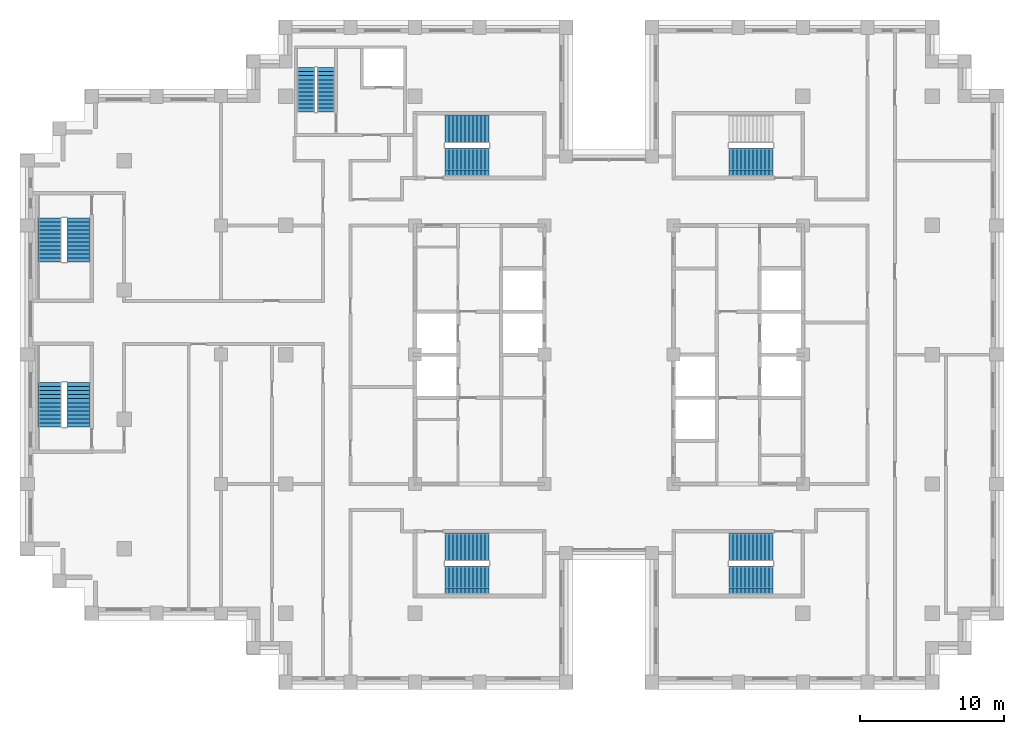
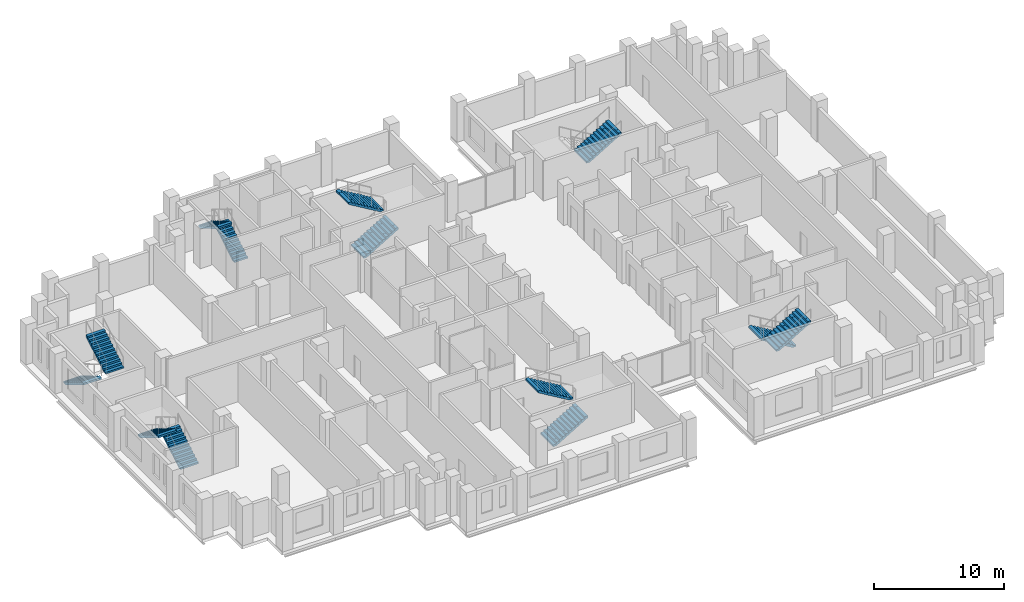
# One storey, part 12 of 15: 13 stair flights, 7 elements without a shape of their own.
"""IFC4 building model written with IfcOpenShell, lengths in metres."""

from ifc_helpers import new_model, si_unit, direction, frame, origin, place, context, subcontext, project, spatial, polyline, outline, extrude, material, type_object, element, aggregate, save


model = new_model("IFC4")

# Units and contexts
model_context = context("Model", 3, precision=1e-05, world=origin(), true_north=direction((0.0, 1.0)))
body_context = subcontext(model_context, "Body", "Model", "MODEL_VIEW")
ifc_project = project(units=[si_unit("LENGTHUNIT", "METRE"), si_unit("AREAUNIT", "SQUARE_METRE"), si_unit("VOLUMEUNIT", "CUBIC_METRE"), si_unit("PLANEANGLEUNIT", "RADIAN"), si_unit("MASSUNIT", "GRAM", prefix="KILO")], contexts=[model_context])

# Site, building, storey
site_placement = place(None, origin())
site = spatial("IfcSite", under=ifc_project, at=site_placement, CompositionType="ELEMENT")
building_placement = place(site_placement, origin())
building = spatial("IfcBuilding", under=site, at=building_placement, Name="Corbelhall Arena Tower", CompositionType="ELEMENT")
storey_placement = place(building_placement, frame((0.0, 0.0, 224.0)))
storey = spatial("IfcBuildingStorey", under=building, at=storey_placement, Name="L47", CompositionType="ELEMENT", Elevation=224.0)

# Stair, stair flights
ifc_material = material(Name="Concrete C40/50", Category="concrete")
stair_type = type_object("IfcStairType", Name="IN-ST-TOWER", PredefinedType="HALF_TURN_STAIR", material=ifc_material)
stair_1_placement = place(storey_placement, origin())
stair_1 = element("IfcStair", 1, at=stair_1_placement, inside=storey, type_object=stair_type, Name="L47 Exit stair ST1", PredefinedType="HALF_TURN_STAIR")
stair_flight_type = type_object("IfcStairFlightType", Name="IN-SFL-RC", PredefinedType="STRAIGHT", material=ifc_material)
stair_flight_1_placement = place(storey_placement, frame((-11.425048828125, 13.39990234375, 0.0), z_axis=(0.0, 0.0, 1.0), x_axis=(1.0, 0.0, 0.0)))
stair_flight_1 = element("IfcStairFlight", 2, at=stair_flight_1_placement, type_object=stair_flight_type, Name="ST1 flight 1", NumberOfRisers=12, NumberOfTreads=11, PredefinedType="STRAIGHT", RiserHeight=0.166666667, TreadLength=0.28, context=body_context, shape_type="SweptSolid", body=[
    extrude(outline(polyline([(0.0, 0.0), (0.0, 0.166748046875), (0.280029296875, 0.166748046875), (0.280029296875, 0.333251953125), (0.56005859375, 0.333251953125), (0.56005859375, 0.5), (0.840087890625, 0.5), (0.840087890625, 0.666748046875), (1.1201171875, 0.666748046875), (1.1201171875, 0.833251953125), (1.39990234375, 0.833251953125), (1.39990234375, 1.0), (1.679931640625, 1.0), (1.679931640625, 1.166748046875), (1.9599609375, 1.166748046875), (1.9599609375, 1.333251953125), (2.239990234375, 1.333251953125), (2.239990234375, 1.5), (2.52001953125, 1.5), (2.52001953125, 1.666748046875), (2.800048828125, 1.666748046875), (2.800048828125, 1.833251953125), (3.080078125, 1.833251953125), (3.080078125, 2.0), (3.080078125, 1.658935546875), (0.29296875, 0.0), (0.0, 0.0)])), frame((0.0, 0.97509765625, 0.0), z_axis=(0.0, -1.0, 0.0), x_axis=(1.0, 0.0, 0.0)), (0.0, 0.0, 1.0), 0.449951171875),
    extrude(outline(polyline([(0.0, 0.0), (0.0, 0.166748046875), (0.280029296875, 0.166748046875), (0.280029296875, 0.333251953125), (0.56005859375, 0.333251953125), (0.56005859375, 0.5), (0.840087890625, 0.5), (0.840087890625, 0.666748046875), (1.1201171875, 0.666748046875), (1.1201171875, 0.833251953125), (1.39990234375, 0.833251953125), (1.39990234375, 1.0), (1.679931640625, 1.0), (1.679931640625, 1.166748046875), (1.9599609375, 1.166748046875), (1.9599609375, 1.333251953125), (2.239990234375, 1.333251953125), (2.239990234375, 1.5), (2.52001953125, 1.5), (2.52001953125, 1.666748046875), (2.800048828125, 1.666748046875), (2.800048828125, 1.833251953125), (3.080078125, 1.833251953125), (3.080078125, 2.0), (3.080078125, 1.658935546875), (0.29296875, 0.0), (0.0, 0.0)])), frame((0.0, 0.52099609375, 0.0), z_axis=(0.0, -1.0, 0.0), x_axis=(1.0, 0.0, 0.0)), (0.0, 0.0, 1.0), 1.0419921875),
    extrude(outline(polyline([(0.0, 0.0), (0.0, 0.166748046875), (0.280029296875, 0.166748046875), (0.280029296875, 0.333251953125), (0.56005859375, 0.333251953125), (0.56005859375, 0.5), (0.840087890625, 0.5), (0.840087890625, 0.666748046875), (1.1201171875, 0.666748046875), (1.1201171875, 0.833251953125), (1.39990234375, 0.833251953125), (1.39990234375, 1.0), (1.679931640625, 1.0), (1.679931640625, 1.166748046875), (1.9599609375, 1.166748046875), (1.9599609375, 1.333251953125), (2.239990234375, 1.333251953125), (2.239990234375, 1.5), (2.52001953125, 1.5), (2.52001953125, 1.666748046875), (2.800048828125, 1.666748046875), (2.800048828125, 1.833251953125), (3.080078125, 1.833251953125), (3.080078125, 2.0), (3.080078125, 1.658935546875), (0.29296875, 0.0), (0.0, 0.0)])), frame((0.0, -0.52490234375, 0.0), z_axis=(0.0, -1.0, 0.0), x_axis=(1.0, 0.0, 0.0)), (0.0, 0.0, 1.0), 0.449951171875),
])
stair_flight_2_placement = place(storey_placement, frame((-8.344970703125, 15.699951171875, 2.0), z_axis=(0.0, 0.0, 1.0), x_axis=(-1.0, 0.0, 0.0)))
stair_flight_2 = element("IfcStairFlight", 3, at=stair_flight_2_placement, type_object=stair_flight_type, Name="ST1 flight 2", NumberOfRisers=12, NumberOfTreads=11, PredefinedType="STRAIGHT", RiserHeight=0.166666667, TreadLength=0.28, context=body_context, shape_type="SweptSolid", body=[
    extrude(outline(polyline([(0.0, 0.0), (0.0, 0.166748046875), (0.280029296875, 0.166748046875), (0.280029296875, 0.333251953125), (0.56005859375, 0.333251953125), (0.56005859375, 0.5), (0.840087890625, 0.5), (0.840087890625, 0.666748046875), (1.1201171875, 0.666748046875), (1.1201171875, 0.833251953125), (1.39990234375, 0.833251953125), (1.39990234375, 1.0), (1.679931640625, 1.0), (1.679931640625, 1.166748046875), (1.9599609375, 1.166748046875), (1.9599609375, 1.333251953125), (2.239990234375, 1.333251953125), (2.239990234375, 1.5), (2.52001953125, 1.5), (2.52001953125, 1.666748046875), (2.800048828125, 1.666748046875), (2.800048828125, 1.833251953125), (3.080078125, 1.833251953125), (3.080078125, 2.0), (3.080078125, 1.658935546875), (0.29296875, 0.0), (0.0, 0.0)])), frame((0.0, 0.97509765625, 0.0), z_axis=(0.0, -1.0, 0.0), x_axis=(1.0, 0.0, 0.0)), (0.0, 0.0, 1.0), 0.449951171875),
    extrude(outline(polyline([(0.0, 0.0), (0.0, 0.166748046875), (0.280029296875, 0.166748046875), (0.280029296875, 0.333251953125), (0.56005859375, 0.333251953125), (0.56005859375, 0.5), (0.840087890625, 0.5), (0.840087890625, 0.666748046875), (1.1201171875, 0.666748046875), (1.1201171875, 0.833251953125), (1.39990234375, 0.833251953125), (1.39990234375, 1.0), (1.679931640625, 1.0), (1.679931640625, 1.166748046875), (1.9599609375, 1.166748046875), (1.9599609375, 1.333251953125), (2.239990234375, 1.333251953125), (2.239990234375, 1.5), (2.52001953125, 1.5), (2.52001953125, 1.666748046875), (2.800048828125, 1.666748046875), (2.800048828125, 1.833251953125), (3.080078125, 1.833251953125), (3.080078125, 2.0), (3.080078125, 1.658935546875), (0.29296875, 0.0), (0.0, 0.0)])), frame((0.0, 0.52099609375, 0.0), z_axis=(0.0, -1.0, 0.0), x_axis=(1.0, 0.0, 0.0)), (0.0, 0.0, 1.0), 1.0419921875),
    extrude(outline(polyline([(0.0, 0.0), (0.0, 0.166748046875), (0.280029296875, 0.166748046875), (0.280029296875, 0.333251953125), (0.56005859375, 0.333251953125), (0.56005859375, 0.5), (0.840087890625, 0.5), (0.840087890625, 0.666748046875), (1.1201171875, 0.666748046875), (1.1201171875, 0.833251953125), (1.39990234375, 0.833251953125), (1.39990234375, 1.0), (1.679931640625, 1.0), (1.679931640625, 1.166748046875), (1.9599609375, 1.166748046875), (1.9599609375, 1.333251953125), (2.239990234375, 1.333251953125), (2.239990234375, 1.5), (2.52001953125, 1.5), (2.52001953125, 1.666748046875), (2.800048828125, 1.666748046875), (2.800048828125, 1.833251953125), (3.080078125, 1.833251953125), (3.080078125, 2.0), (3.080078125, 1.658935546875), (0.29296875, 0.0), (0.0, 0.0)])), frame((0.0, -0.52490234375, 0.0), z_axis=(0.0, -1.0, 0.0), x_axis=(1.0, 0.0, 0.0)), (0.0, 0.0, 1.0), 0.449951171875),
])
aggregate(stair_1, [stair_flight_1, stair_flight_2])

stair_2_placement = place(storey_placement, origin())
stair_2 = element("IfcStair", 4, at=stair_2_placement, inside=storey, type_object=stair_type, Name="L47 Exit stair ST2", PredefinedType="HALF_TURN_STAIR")
stair_flight_3_placement = place(storey_placement, frame((-11.425048828125, -15.699951171875, 0.0), z_axis=(0.0, 0.0, 1.0), x_axis=(1.0, 0.0, 0.0)))
stair_flight_3 = element("IfcStairFlight", 5, at=stair_flight_3_placement, type_object=stair_flight_type, Name="ST2 flight 1", NumberOfRisers=12, NumberOfTreads=11, PredefinedType="STRAIGHT", RiserHeight=0.166666667, TreadLength=0.28, context=body_context, shape_type="SweptSolid", body=[
    extrude(outline(polyline([(0.0, 0.0), (0.0, 0.166748046875), (0.280029296875, 0.166748046875), (0.280029296875, 0.333251953125), (0.56005859375, 0.333251953125), (0.56005859375, 0.5), (0.840087890625, 0.5), (0.840087890625, 0.666748046875), (1.1201171875, 0.666748046875), (1.1201171875, 0.833251953125), (1.39990234375, 0.833251953125), (1.39990234375, 1.0), (1.679931640625, 1.0), (1.679931640625, 1.166748046875), (1.9599609375, 1.166748046875), (1.9599609375, 1.333251953125), (2.239990234375, 1.333251953125), (2.239990234375, 1.5), (2.52001953125, 1.5), (2.52001953125, 1.666748046875), (2.800048828125, 1.666748046875), (2.800048828125, 1.833251953125), (3.080078125, 1.833251953125), (3.080078125, 2.0), (3.080078125, 1.658935546875), (0.29296875, 0.0), (0.0, 0.0)])), frame((0.0, 0.97509765625, 0.0), z_axis=(0.0, -1.0, 0.0), x_axis=(1.0, 0.0, 0.0)), (0.0, 0.0, 1.0), 0.449951171875),
    extrude(outline(polyline([(0.0, 0.0), (0.0, 0.166748046875), (0.280029296875, 0.166748046875), (0.280029296875, 0.333251953125), (0.56005859375, 0.333251953125), (0.56005859375, 0.5), (0.840087890625, 0.5), (0.840087890625, 0.666748046875), (1.1201171875, 0.666748046875), (1.1201171875, 0.833251953125), (1.39990234375, 0.833251953125), (1.39990234375, 1.0), (1.679931640625, 1.0), (1.679931640625, 1.166748046875), (1.9599609375, 1.166748046875), (1.9599609375, 1.333251953125), (2.239990234375, 1.333251953125), (2.239990234375, 1.5), (2.52001953125, 1.5), (2.52001953125, 1.666748046875), (2.800048828125, 1.666748046875), (2.800048828125, 1.833251953125), (3.080078125, 1.833251953125), (3.080078125, 2.0), (3.080078125, 1.658935546875), (0.29296875, 0.0), (0.0, 0.0)])), frame((0.0, 0.52099609375, 0.0), z_axis=(0.0, -1.0, 0.0), x_axis=(1.0, 0.0, 0.0)), (0.0, 0.0, 1.0), 1.0419921875),
    extrude(outline(polyline([(0.0, 0.0), (0.0, 0.166748046875), (0.280029296875, 0.166748046875), (0.280029296875, 0.333251953125), (0.56005859375, 0.333251953125), (0.56005859375, 0.5), (0.840087890625, 0.5), (0.840087890625, 0.666748046875), (1.1201171875, 0.666748046875), (1.1201171875, 0.833251953125), (1.39990234375, 0.833251953125), (1.39990234375, 1.0), (1.679931640625, 1.0), (1.679931640625, 1.166748046875), (1.9599609375, 1.166748046875), (1.9599609375, 1.333251953125), (2.239990234375, 1.333251953125), (2.239990234375, 1.5), (2.52001953125, 1.5), (2.52001953125, 1.666748046875), (2.800048828125, 1.666748046875), (2.800048828125, 1.833251953125), (3.080078125, 1.833251953125), (3.080078125, 2.0), (3.080078125, 1.658935546875), (0.29296875, 0.0), (0.0, 0.0)])), frame((0.0, -0.52490234375, 0.0), z_axis=(0.0, -1.0, 0.0), x_axis=(1.0, 0.0, 0.0)), (0.0, 0.0, 1.0), 0.449951171875),
])
stair_flight_4_placement = place(storey_placement, frame((-8.344970703125, -13.39990234375, 2.0), z_axis=(0.0, 0.0, 1.0), x_axis=(-1.0, 0.0, 0.0)))
stair_flight_4 = element("IfcStairFlight", 6, at=stair_flight_4_placement, type_object=stair_flight_type, Name="ST2 flight 2", NumberOfRisers=12, NumberOfTreads=11, PredefinedType="STRAIGHT", RiserHeight=0.166666667, TreadLength=0.28, context=body_context, shape_type="SweptSolid", body=[
    extrude(outline(polyline([(0.0, 0.0), (0.0, 0.166748046875), (0.280029296875, 0.166748046875), (0.280029296875, 0.333251953125), (0.56005859375, 0.333251953125), (0.56005859375, 0.5), (0.840087890625, 0.5), (0.840087890625, 0.666748046875), (1.1201171875, 0.666748046875), (1.1201171875, 0.833251953125), (1.39990234375, 0.833251953125), (1.39990234375, 1.0), (1.679931640625, 1.0), (1.679931640625, 1.166748046875), (1.9599609375, 1.166748046875), (1.9599609375, 1.333251953125), (2.239990234375, 1.333251953125), (2.239990234375, 1.5), (2.52001953125, 1.5), (2.52001953125, 1.666748046875), (2.800048828125, 1.666748046875), (2.800048828125, 1.833251953125), (3.080078125, 1.833251953125), (3.080078125, 2.0), (3.080078125, 1.658935546875), (0.29296875, 0.0), (0.0, 0.0)])), frame((0.0, 0.97509765625, 0.0), z_axis=(0.0, -1.0, 0.0), x_axis=(1.0, 0.0, 0.0)), (0.0, 0.0, 1.0), 0.449951171875),
    extrude(outline(polyline([(0.0, 0.0), (0.0, 0.166748046875), (0.280029296875, 0.166748046875), (0.280029296875, 0.333251953125), (0.56005859375, 0.333251953125), (0.56005859375, 0.5), (0.840087890625, 0.5), (0.840087890625, 0.666748046875), (1.1201171875, 0.666748046875), (1.1201171875, 0.833251953125), (1.39990234375, 0.833251953125), (1.39990234375, 1.0), (1.679931640625, 1.0), (1.679931640625, 1.166748046875), (1.9599609375, 1.166748046875), (1.9599609375, 1.333251953125), (2.239990234375, 1.333251953125), (2.239990234375, 1.5), (2.52001953125, 1.5), (2.52001953125, 1.666748046875), (2.800048828125, 1.666748046875), (2.800048828125, 1.833251953125), (3.080078125, 1.833251953125), (3.080078125, 2.0), (3.080078125, 1.658935546875), (0.29296875, 0.0), (0.0, 0.0)])), frame((0.0, 0.52099609375, 0.0), z_axis=(0.0, -1.0, 0.0), x_axis=(1.0, 0.0, 0.0)), (0.0, 0.0, 1.0), 1.0419921875),
    extrude(outline(polyline([(0.0, 0.0), (0.0, 0.166748046875), (0.280029296875, 0.166748046875), (0.280029296875, 0.333251953125), (0.56005859375, 0.333251953125), (0.56005859375, 0.5), (0.840087890625, 0.5), (0.840087890625, 0.666748046875), (1.1201171875, 0.666748046875), (1.1201171875, 0.833251953125), (1.39990234375, 0.833251953125), (1.39990234375, 1.0), (1.679931640625, 1.0), (1.679931640625, 1.166748046875), (1.9599609375, 1.166748046875), (1.9599609375, 1.333251953125), (2.239990234375, 1.333251953125), (2.239990234375, 1.5), (2.52001953125, 1.5), (2.52001953125, 1.666748046875), (2.800048828125, 1.666748046875), (2.800048828125, 1.833251953125), (3.080078125, 1.833251953125), (3.080078125, 2.0), (3.080078125, 1.658935546875), (0.29296875, 0.0), (0.0, 0.0)])), frame((0.0, -0.52490234375, 0.0), z_axis=(0.0, -1.0, 0.0), x_axis=(1.0, 0.0, 0.0)), (0.0, 0.0, 1.0), 0.449951171875),
])
aggregate(stair_2, [stair_flight_3, stair_flight_4])

# Stair, stair flight
stair_3_placement = place(storey_placement, origin())
stair_3 = element("IfcStair", 7, at=stair_3_placement, inside=storey, type_object=stair_type, Name="L47 Exit stair ST3", PredefinedType="HALF_TURN_STAIR")
stair_flight_5_placement = place(storey_placement, frame((8.344970703125, 13.39990234375, 2.0), z_axis=(0.0, 0.0, 1.0), x_axis=(1.0, 0.0, 0.0)))
stair_flight_5 = element("IfcStairFlight", 8, at=stair_flight_5_placement, type_object=stair_flight_type, Name="ST3 flight 2", NumberOfRisers=12, NumberOfTreads=11, PredefinedType="STRAIGHT", RiserHeight=0.166666667, TreadLength=0.28, context=body_context, shape_type="SweptSolid", body=[
    extrude(outline(polyline([(0.0, 0.0), (0.0, 0.166748046875), (0.280029296875, 0.166748046875), (0.280029296875, 0.333251953125), (0.56005859375, 0.333251953125), (0.56005859375, 0.5), (0.840087890625, 0.5), (0.840087890625, 0.666748046875), (1.1201171875, 0.666748046875), (1.1201171875, 0.833251953125), (1.39990234375, 0.833251953125), (1.39990234375, 1.0), (1.679931640625, 1.0), (1.679931640625, 1.166748046875), (1.9599609375, 1.166748046875), (1.9599609375, 1.333251953125), (2.239990234375, 1.333251953125), (2.239990234375, 1.5), (2.52001953125, 1.5), (2.52001953125, 1.666748046875), (2.800048828125, 1.666748046875), (2.800048828125, 1.833251953125), (3.080078125, 1.833251953125), (3.080078125, 2.0), (3.080078125, 1.658935546875), (0.29296875, 0.0), (0.0, 0.0)])), frame((0.0, 0.97509765625, 0.0), z_axis=(0.0, -1.0, 0.0), x_axis=(1.0, 0.0, 0.0)), (0.0, 0.0, 1.0), 0.449951171875),
    extrude(outline(polyline([(0.0, 0.0), (0.0, 0.166748046875), (0.280029296875, 0.166748046875), (0.280029296875, 0.333251953125), (0.56005859375, 0.333251953125), (0.56005859375, 0.5), (0.840087890625, 0.5), (0.840087890625, 0.666748046875), (1.1201171875, 0.666748046875), (1.1201171875, 0.833251953125), (1.39990234375, 0.833251953125), (1.39990234375, 1.0), (1.679931640625, 1.0), (1.679931640625, 1.166748046875), (1.9599609375, 1.166748046875), (1.9599609375, 1.333251953125), (2.239990234375, 1.333251953125), (2.239990234375, 1.5), (2.52001953125, 1.5), (2.52001953125, 1.666748046875), (2.800048828125, 1.666748046875), (2.800048828125, 1.833251953125), (3.080078125, 1.833251953125), (3.080078125, 2.0), (3.080078125, 1.658935546875), (0.29296875, 0.0), (0.0, 0.0)])), frame((0.0, 0.52099609375, 0.0), z_axis=(0.0, -1.0, 0.0), x_axis=(1.0, 0.0, 0.0)), (0.0, 0.0, 1.0), 1.0419921875),
    extrude(outline(polyline([(0.0, 0.0), (0.0, 0.166748046875), (0.280029296875, 0.166748046875), (0.280029296875, 0.333251953125), (0.56005859375, 0.333251953125), (0.56005859375, 0.5), (0.840087890625, 0.5), (0.840087890625, 0.666748046875), (1.1201171875, 0.666748046875), (1.1201171875, 0.833251953125), (1.39990234375, 0.833251953125), (1.39990234375, 1.0), (1.679931640625, 1.0), (1.679931640625, 1.166748046875), (1.9599609375, 1.166748046875), (1.9599609375, 1.333251953125), (2.239990234375, 1.333251953125), (2.239990234375, 1.5), (2.52001953125, 1.5), (2.52001953125, 1.666748046875), (2.800048828125, 1.666748046875), (2.800048828125, 1.833251953125), (3.080078125, 1.833251953125), (3.080078125, 2.0), (3.080078125, 1.658935546875), (0.29296875, 0.0), (0.0, 0.0)])), frame((0.0, -0.52490234375, 0.0), z_axis=(0.0, -1.0, 0.0), x_axis=(1.0, 0.0, 0.0)), (0.0, 0.0, 1.0), 0.449951171875),
])
aggregate(stair_3, [stair_flight_5])

# Stair, stair flights
stair_4_placement = place(storey_placement, origin())
stair_4 = element("IfcStair", 9, at=stair_4_placement, inside=storey, type_object=stair_type, Name="L47 Exit stair ST4", PredefinedType="HALF_TURN_STAIR")
stair_flight_6_placement = place(storey_placement, frame((11.425048828125, -13.39990234375, 0.0), z_axis=(0.0, 0.0, 1.0), x_axis=(-1.0, 0.0, 0.0)))
stair_flight_6 = element("IfcStairFlight", 10, at=stair_flight_6_placement, type_object=stair_flight_type, Name="ST4 flight 1", NumberOfRisers=12, NumberOfTreads=11, PredefinedType="STRAIGHT", RiserHeight=0.166666667, TreadLength=0.28, context=body_context, shape_type="SweptSolid", body=[
    extrude(outline(polyline([(0.0, 0.0), (0.0, 0.166748046875), (0.280029296875, 0.166748046875), (0.280029296875, 0.333251953125), (0.56005859375, 0.333251953125), (0.56005859375, 0.5), (0.840087890625, 0.5), (0.840087890625, 0.666748046875), (1.1201171875, 0.666748046875), (1.1201171875, 0.833251953125), (1.39990234375, 0.833251953125), (1.39990234375, 1.0), (1.679931640625, 1.0), (1.679931640625, 1.166748046875), (1.9599609375, 1.166748046875), (1.9599609375, 1.333251953125), (2.239990234375, 1.333251953125), (2.239990234375, 1.5), (2.52001953125, 1.5), (2.52001953125, 1.666748046875), (2.800048828125, 1.666748046875), (2.800048828125, 1.833251953125), (3.080078125, 1.833251953125), (3.080078125, 2.0), (3.080078125, 1.658935546875), (0.29296875, 0.0), (0.0, 0.0)])), frame((0.0, 0.97509765625, 0.0), z_axis=(0.0, -1.0, 0.0), x_axis=(1.0, 0.0, 0.0)), (0.0, 0.0, 1.0), 0.449951171875),
    extrude(outline(polyline([(0.0, 0.0), (0.0, 0.166748046875), (0.280029296875, 0.166748046875), (0.280029296875, 0.333251953125), (0.56005859375, 0.333251953125), (0.56005859375, 0.5), (0.840087890625, 0.5), (0.840087890625, 0.666748046875), (1.1201171875, 0.666748046875), (1.1201171875, 0.833251953125), (1.39990234375, 0.833251953125), (1.39990234375, 1.0), (1.679931640625, 1.0), (1.679931640625, 1.166748046875), (1.9599609375, 1.166748046875), (1.9599609375, 1.333251953125), (2.239990234375, 1.333251953125), (2.239990234375, 1.5), (2.52001953125, 1.5), (2.52001953125, 1.666748046875), (2.800048828125, 1.666748046875), (2.800048828125, 1.833251953125), (3.080078125, 1.833251953125), (3.080078125, 2.0), (3.080078125, 1.658935546875), (0.29296875, 0.0), (0.0, 0.0)])), frame((0.0, 0.52099609375, 0.0), z_axis=(0.0, -1.0, 0.0), x_axis=(1.0, 0.0, 0.0)), (0.0, 0.0, 1.0), 1.0419921875),
    extrude(outline(polyline([(0.0, 0.0), (0.0, 0.166748046875), (0.280029296875, 0.166748046875), (0.280029296875, 0.333251953125), (0.56005859375, 0.333251953125), (0.56005859375, 0.5), (0.840087890625, 0.5), (0.840087890625, 0.666748046875), (1.1201171875, 0.666748046875), (1.1201171875, 0.833251953125), (1.39990234375, 0.833251953125), (1.39990234375, 1.0), (1.679931640625, 1.0), (1.679931640625, 1.166748046875), (1.9599609375, 1.166748046875), (1.9599609375, 1.333251953125), (2.239990234375, 1.333251953125), (2.239990234375, 1.5), (2.52001953125, 1.5), (2.52001953125, 1.666748046875), (2.800048828125, 1.666748046875), (2.800048828125, 1.833251953125), (3.080078125, 1.833251953125), (3.080078125, 2.0), (3.080078125, 1.658935546875), (0.29296875, 0.0), (0.0, 0.0)])), frame((0.0, -0.52490234375, 0.0), z_axis=(0.0, -1.0, 0.0), x_axis=(1.0, 0.0, 0.0)), (0.0, 0.0, 1.0), 0.449951171875),
])
stair_flight_7_placement = place(storey_placement, frame((8.344970703125, -15.699951171875, 2.0), z_axis=(0.0, 0.0, 1.0), x_axis=(1.0, 0.0, 0.0)))
stair_flight_7 = element("IfcStairFlight", 11, at=stair_flight_7_placement, type_object=stair_flight_type, Name="ST4 flight 2", NumberOfRisers=12, NumberOfTreads=11, PredefinedType="STRAIGHT", RiserHeight=0.166666667, TreadLength=0.28, context=body_context, shape_type="SweptSolid", body=[
    extrude(outline(polyline([(0.0, 0.0), (0.0, 0.166748046875), (0.280029296875, 0.166748046875), (0.280029296875, 0.333251953125), (0.56005859375, 0.333251953125), (0.56005859375, 0.5), (0.840087890625, 0.5), (0.840087890625, 0.666748046875), (1.1201171875, 0.666748046875), (1.1201171875, 0.833251953125), (1.39990234375, 0.833251953125), (1.39990234375, 1.0), (1.679931640625, 1.0), (1.679931640625, 1.166748046875), (1.9599609375, 1.166748046875), (1.9599609375, 1.333251953125), (2.239990234375, 1.333251953125), (2.239990234375, 1.5), (2.52001953125, 1.5), (2.52001953125, 1.666748046875), (2.800048828125, 1.666748046875), (2.800048828125, 1.833251953125), (3.080078125, 1.833251953125), (3.080078125, 2.0), (3.080078125, 1.658935546875), (0.29296875, 0.0), (0.0, 0.0)])), frame((0.0, 0.97509765625, 0.0), z_axis=(0.0, -1.0, 0.0), x_axis=(1.0, 0.0, 0.0)), (0.0, 0.0, 1.0), 0.449951171875),
    extrude(outline(polyline([(0.0, 0.0), (0.0, 0.166748046875), (0.280029296875, 0.166748046875), (0.280029296875, 0.333251953125), (0.56005859375, 0.333251953125), (0.56005859375, 0.5), (0.840087890625, 0.5), (0.840087890625, 0.666748046875), (1.1201171875, 0.666748046875), (1.1201171875, 0.833251953125), (1.39990234375, 0.833251953125), (1.39990234375, 1.0), (1.679931640625, 1.0), (1.679931640625, 1.166748046875), (1.9599609375, 1.166748046875), (1.9599609375, 1.333251953125), (2.239990234375, 1.333251953125), (2.239990234375, 1.5), (2.52001953125, 1.5), (2.52001953125, 1.666748046875), (2.800048828125, 1.666748046875), (2.800048828125, 1.833251953125), (3.080078125, 1.833251953125), (3.080078125, 2.0), (3.080078125, 1.658935546875), (0.29296875, 0.0), (0.0, 0.0)])), frame((0.0, 0.52099609375, 0.0), z_axis=(0.0, -1.0, 0.0), x_axis=(1.0, 0.0, 0.0)), (0.0, 0.0, 1.0), 1.0419921875),
    extrude(outline(polyline([(0.0, 0.0), (0.0, 0.166748046875), (0.280029296875, 0.166748046875), (0.280029296875, 0.333251953125), (0.56005859375, 0.333251953125), (0.56005859375, 0.5), (0.840087890625, 0.5), (0.840087890625, 0.666748046875), (1.1201171875, 0.666748046875), (1.1201171875, 0.833251953125), (1.39990234375, 0.833251953125), (1.39990234375, 1.0), (1.679931640625, 1.0), (1.679931640625, 1.166748046875), (1.9599609375, 1.166748046875), (1.9599609375, 1.333251953125), (2.239990234375, 1.333251953125), (2.239990234375, 1.5), (2.52001953125, 1.5), (2.52001953125, 1.666748046875), (2.800048828125, 1.666748046875), (2.800048828125, 1.833251953125), (3.080078125, 1.833251953125), (3.080078125, 2.0), (3.080078125, 1.658935546875), (0.29296875, 0.0), (0.0, 0.0)])), frame((0.0, -0.52490234375, 0.0), z_axis=(0.0, -1.0, 0.0), x_axis=(1.0, 0.0, 0.0)), (0.0, 0.0, 1.0), 0.449951171875),
])
aggregate(stair_4, [stair_flight_6, stair_flight_7])

stair_5_placement = place(storey_placement, origin())
stair_5 = element("IfcStair", 12, at=stair_5_placement, inside=storey, type_object=stair_type, Name="L47 Exit stair SC1", PredefinedType="HALF_TURN_STAIR")
stair_flight_8_placement = place(storey_placement, frame((-38.89990234375, 9.52490234375, 0.0), z_axis=(0.0, 0.0, 1.0), x_axis=(0.0, -1.0, 0.0)))
stair_flight_8 = element("IfcStairFlight", 13, at=stair_flight_8_placement, type_object=stair_flight_type, Name="SC1 flight 1", NumberOfRisers=12, NumberOfTreads=11, PredefinedType="STRAIGHT", RiserHeight=0.166666667, TreadLength=0.28, context=body_context, shape_type="SweptSolid", body=[
    extrude(outline(polyline([(0.0, 0.0), (0.0, 0.166748046875), (0.280029296875, 0.166748046875), (0.280029296875, 0.333251953125), (0.56005859375, 0.333251953125), (0.56005859375, 0.5), (0.840087890625, 0.5), (0.840087890625, 0.666748046875), (1.1201171875, 0.666748046875), (1.1201171875, 0.833251953125), (1.39990234375, 0.833251953125), (1.39990234375, 1.0), (1.679931640625, 1.0), (1.679931640625, 1.166748046875), (1.9599609375, 1.166748046875), (1.9599609375, 1.333251953125), (2.239990234375, 1.333251953125), (2.239990234375, 1.5), (2.52001953125, 1.5), (2.52001953125, 1.666748046875), (2.800048828125, 1.666748046875), (2.800048828125, 1.833251953125), (3.080078125, 1.833251953125), (3.080078125, 2.0), (3.080078125, 1.658935546875), (0.29296875, 0.0), (0.0, 0.0)])), frame((0.0, 0.800048828125, 0.0), z_axis=(0.0, -1.0, 0.0), x_axis=(1.0, 0.0, 0.0)), (0.0, 0.0, 1.0), 1.60009765625),
])
stair_flight_9_placement = place(storey_placement, frame((-36.925048828125, 6.445068359375, 2.0), z_axis=(0.0, 0.0, 1.0), x_axis=(0.0, 1.0, 0.0)))
stair_flight_9 = element("IfcStairFlight", 14, at=stair_flight_9_placement, type_object=stair_flight_type, Name="SC1 flight 2", NumberOfRisers=12, NumberOfTreads=11, PredefinedType="STRAIGHT", RiserHeight=0.166666667, TreadLength=0.28, context=body_context, shape_type="SweptSolid", body=[
    extrude(outline(polyline([(0.0, 0.0), (0.0, 0.166748046875), (0.280029296875, 0.166748046875), (0.280029296875, 0.333251953125), (0.56005859375, 0.333251953125), (0.56005859375, 0.5), (0.840087890625, 0.5), (0.840087890625, 0.666748046875), (1.1201171875, 0.666748046875), (1.1201171875, 0.833251953125), (1.39990234375, 0.833251953125), (1.39990234375, 1.0), (1.679931640625, 1.0), (1.679931640625, 1.166748046875), (1.9599609375, 1.166748046875), (1.9599609375, 1.333251953125), (2.239990234375, 1.333251953125), (2.239990234375, 1.5), (2.52001953125, 1.5), (2.52001953125, 1.666748046875), (2.800048828125, 1.666748046875), (2.800048828125, 1.833251953125), (3.080078125, 1.833251953125), (3.080078125, 2.0), (3.080078125, 1.658935546875), (0.29296875, 0.0), (0.0, 0.0)])), frame((0.0, 0.800048828125, 0.0), z_axis=(0.0, -1.0, 0.0), x_axis=(1.0, 0.0, 0.0)), (0.0, 0.0, 1.0), 1.60009765625),
])
aggregate(stair_5, [stair_flight_8, stair_flight_9])

stair_6_placement = place(storey_placement, origin())
stair_6 = element("IfcStair", 15, at=stair_6_placement, inside=storey, type_object=stair_type, Name="L47 Exit stair SC2", PredefinedType="HALF_TURN_STAIR")
stair_flight_10_placement = place(storey_placement, frame((-36.925048828125, -5.02490234375, 0.0), z_axis=(0.0, 0.0, 1.0), x_axis=(0.0, 1.0, 0.0)))
stair_flight_10 = element("IfcStairFlight", 16, at=stair_flight_10_placement, type_object=stair_flight_type, Name="SC2 flight 1", NumberOfRisers=12, NumberOfTreads=11, PredefinedType="STRAIGHT", RiserHeight=0.166666667, TreadLength=0.28, context=body_context, shape_type="SweptSolid", body=[
    extrude(outline(polyline([(0.0, 0.0), (0.0, 0.166748046875), (0.280029296875, 0.166748046875), (0.280029296875, 0.333251953125), (0.56005859375, 0.333251953125), (0.56005859375, 0.5), (0.840087890625, 0.5), (0.840087890625, 0.666748046875), (1.1201171875, 0.666748046875), (1.1201171875, 0.833251953125), (1.39990234375, 0.833251953125), (1.39990234375, 1.0), (1.679931640625, 1.0), (1.679931640625, 1.166748046875), (1.9599609375, 1.166748046875), (1.9599609375, 1.333251953125), (2.239990234375, 1.333251953125), (2.239990234375, 1.5), (2.52001953125, 1.5), (2.52001953125, 1.666748046875), (2.800048828125, 1.666748046875), (2.800048828125, 1.833251953125), (3.080078125, 1.833251953125), (3.080078125, 2.0), (3.080078125, 1.658935546875), (0.29296875, 0.0), (0.0, 0.0)])), frame((0.0, 0.800048828125, 0.0), z_axis=(0.0, -1.0, 0.0), x_axis=(1.0, 0.0, 0.0)), (0.0, 0.0, 1.0), 1.60009765625),
])
stair_flight_11_placement = place(storey_placement, frame((-38.89990234375, -1.945068359375, 2.0), z_axis=(0.0, 0.0, 1.0), x_axis=(0.0, -1.0, 0.0)))
stair_flight_11 = element("IfcStairFlight", 17, at=stair_flight_11_placement, type_object=stair_flight_type, Name="SC2 flight 2", NumberOfRisers=12, NumberOfTreads=11, PredefinedType="STRAIGHT", RiserHeight=0.166666667, TreadLength=0.28, context=body_context, shape_type="SweptSolid", body=[
    extrude(outline(polyline([(0.0, 0.0), (0.0, 0.166748046875), (0.280029296875, 0.166748046875), (0.280029296875, 0.333251953125), (0.56005859375, 0.333251953125), (0.56005859375, 0.5), (0.840087890625, 0.5), (0.840087890625, 0.666748046875), (1.1201171875, 0.666748046875), (1.1201171875, 0.833251953125), (1.39990234375, 0.833251953125), (1.39990234375, 1.0), (1.679931640625, 1.0), (1.679931640625, 1.166748046875), (1.9599609375, 1.166748046875), (1.9599609375, 1.333251953125), (2.239990234375, 1.333251953125), (2.239990234375, 1.5), (2.52001953125, 1.5), (2.52001953125, 1.666748046875), (2.800048828125, 1.666748046875), (2.800048828125, 1.833251953125), (3.080078125, 1.833251953125), (3.080078125, 2.0), (3.080078125, 1.658935546875), (0.29296875, 0.0), (0.0, 0.0)])), frame((0.0, 0.800048828125, 0.0), z_axis=(0.0, -1.0, 0.0), x_axis=(1.0, 0.0, 0.0)), (0.0, 0.0, 1.0), 1.60009765625),
])
aggregate(stair_6, [stair_flight_10, stair_flight_11])

stair_7_placement = place(storey_placement, origin())
stair_7 = element("IfcStair", 18, at=stair_7_placement, inside=storey, type_object=stair_type, Name="L47 Exit stair ST5", PredefinedType="HALF_TURN_STAIR")
stair_flight_12_placement = place(storey_placement, frame((-19.695068359375, 16.89990234375, 0.0), z_axis=(0.0, 0.0, 1.0), x_axis=(0.0, 1.0, 0.0)))
stair_flight_12 = element("IfcStairFlight", 19, at=stair_flight_12_placement, type_object=stair_flight_type, Name="ST5 flight 1", NumberOfRisers=12, NumberOfTreads=11, PredefinedType="STRAIGHT", RiserHeight=0.166666667, TreadLength=0.28, context=body_context, shape_type="SweptSolid", body=[
    extrude(outline(polyline([(0.0, 0.0), (0.0, 0.166748046875), (0.280029296875, 0.166748046875), (0.280029296875, 0.333251953125), (0.56005859375, 0.333251953125), (0.56005859375, 0.5), (0.840087890625, 0.5), (0.840087890625, 0.666748046875), (1.1201171875, 0.666748046875), (1.1201171875, 0.833251953125), (1.39990234375, 0.833251953125), (1.39990234375, 1.0), (1.679931640625, 1.0), (1.679931640625, 1.166748046875), (1.9599609375, 1.166748046875), (1.9599609375, 1.333251953125), (2.239990234375, 1.333251953125), (2.239990234375, 1.5), (2.52001953125, 1.5), (2.52001953125, 1.666748046875), (2.800048828125, 1.666748046875), (2.800048828125, 1.833251953125), (3.080078125, 1.833251953125), (3.080078125, 2.0), (3.080078125, 1.658935546875), (0.29296875, 0.0), (0.0, 0.0)])), frame((0.0, 0.60009765625, 0.0), z_axis=(0.0, -1.0, 0.0), x_axis=(1.0, 0.0, 0.0)), (0.0, 0.0, 1.0), 1.199951171875),
])
stair_flight_13_placement = place(storey_placement, frame((-21.094970703125, 19.97998046875, 2.0), z_axis=(0.0, 0.0, 1.0), x_axis=(0.0, -1.0, 0.0)))
stair_flight_13 = element("IfcStairFlight", 20, at=stair_flight_13_placement, type_object=stair_flight_type, Name="ST5 flight 2", NumberOfRisers=12, NumberOfTreads=11, PredefinedType="STRAIGHT", RiserHeight=0.166666667, TreadLength=0.28, context=body_context, shape_type="SweptSolid", body=[
    extrude(outline(polyline([(0.0, 0.0), (0.0, 0.166748046875), (0.280029296875, 0.166748046875), (0.280029296875, 0.333251953125), (0.56005859375, 0.333251953125), (0.56005859375, 0.5), (0.840087890625, 0.5), (0.840087890625, 0.666748046875), (1.1201171875, 0.666748046875), (1.1201171875, 0.833251953125), (1.39990234375, 0.833251953125), (1.39990234375, 1.0), (1.679931640625, 1.0), (1.679931640625, 1.166748046875), (1.9599609375, 1.166748046875), (1.9599609375, 1.333251953125), (2.239990234375, 1.333251953125), (2.239990234375, 1.5), (2.52001953125, 1.5), (2.52001953125, 1.666748046875), (2.800048828125, 1.666748046875), (2.800048828125, 1.833251953125), (3.080078125, 1.833251953125), (3.080078125, 2.0), (3.080078125, 1.658935546875), (0.29296875, 0.0), (0.0, 0.0)])), frame((0.0, 0.60009765625, 0.0), z_axis=(0.0, -1.0, 0.0), x_axis=(1.0, 0.0, 0.0)), (0.0, 0.0, 1.0), 1.199951171875),
])
aggregate(stair_7, [stair_flight_12, stair_flight_13])

save(model, "model.ifc")
